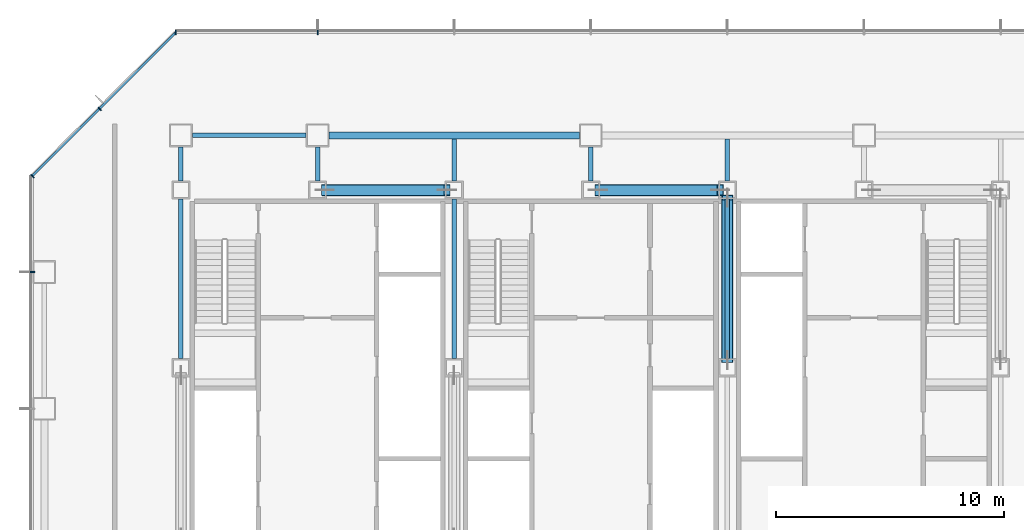
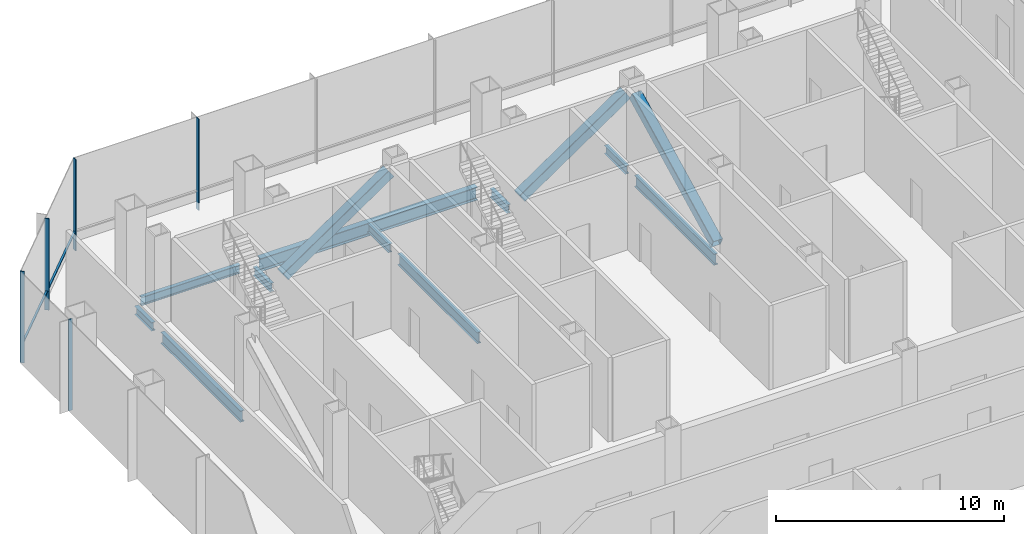
# One storey, part 13 of 34: 10 beams, 9 members, 3 elements without a shape of their own.
"""IFC4 building model written with IfcOpenShell, lengths in metres."""

from ifc_helpers import new_model, si_unit, direction, frame, origin, origin_2d, place, context, subcontext, project, spatial, rectangle, hollow_rectangle, i_section, extrude, material, material_profile, profile_set, type_object, element, aggregate, save


model = new_model("IFC4")

# Units and contexts
model_context = context("Model", 3, precision=1e-05, world=origin(), true_north=direction((0.0, 1.0)))
body_context = subcontext(model_context, "Body", "Model", "MODEL_VIEW")
ifc_project = project(units=[si_unit("LENGTHUNIT", "METRE"), si_unit("AREAUNIT", "SQUARE_METRE"), si_unit("VOLUMEUNIT", "CUBIC_METRE"), si_unit("PLANEANGLEUNIT", "RADIAN"), si_unit("MASSUNIT", "GRAM", prefix="KILO")], contexts=[model_context])

# Site, building, storey
site_placement = place(None, origin())
site = spatial("IfcSite", under=ifc_project, at=site_placement, CompositionType="ELEMENT")
building_placement = place(site_placement, origin())
building = spatial("IfcBuilding", under=site, at=building_placement, Name="Sorahane Residences", CompositionType="ELEMENT")
storey_placement = place(building_placement, frame((0.0, 0.0, 39.60009765625)))
storey = spatial("IfcBuildingStorey", under=building, at=storey_placement, Name="L06", CompositionType="ELEMENT", Elevation=39.60009765625)

# Members
ifc_material_1 = material(Name="Steel Q355B", Category="steel")
ifc_material_profile_1 = material_profile(ifc_material_1, hollow_rectangle(XDim=0.5, YDim=0.5, WallThickness=0.02490234375, InnerFilletRadius=0.012451171875, OuterFilletRadius=0.03759765625, at=origin_2d()), Name="RHS 500x500x25")
ifc_profile_set_1 = profile_set([ifc_material_profile_1], Name="Steel Q355B")
member_type_1 = type_object("IfcMemberType", Name="Core brace RHS 500x500x25 Q355B", PredefinedType="BRACE", material=ifc_profile_set_1)
for number, where, z_axis, x_axis, name in (
    (1, (12.3154296875, 45.60009765625, 0.192138671875), (0.825887140719, 0.0, 0.563835464294), (0.0, 1.0, 0.0), "Core brace L06 y45.6-2"),
    (2, (24.3154296875, 45.60009765625, 0.192138671875), (0.825887140719, 0.0, 0.563835464294), (0.0, 1.0, 0.0), "Core brace L06 y45.6-4"),
):
    element("IfcMember", number, at=place(storey_placement, frame(where, z_axis=z_axis, x_axis=x_axis)), inside=storey, type_object=member_type_1, Name=name, PredefinedType="BRACE", context=body_context, shape_type="SweptSolid", body=[
        extrude(hollow_rectangle(XDim=0.5, YDim=0.5, WallThickness=0.02490234375, InnerFilletRadius=0.012451171875, OuterFilletRadius=0.03759765625, at=origin_2d()), origin(), (0.0, 0.0, 1.0), 6.5009765625),
    ])
member_1_placement = place(storey_placement, frame((30.0, 38.132080078125, 0.215576171875), z_axis=(0.0, 0.891873982829, 0.452283980207), x_axis=(-1.0, 0.0, 0.0)))
element("IfcMember", 3, at=member_1_placement, inside=storey, type_object=member_type_1, Name="Core brace L06 x30-2", PredefinedType="BRACE", context=body_context, shape_type="SweptSolid", body=[
    extrude(hollow_rectangle(XDim=0.5, YDim=0.5, WallThickness=0.02490234375, InnerFilletRadius=0.012451171875, OuterFilletRadius=0.03759765625, at=origin_2d()), origin(), (0.0, 0.0, 1.0), 8.000732421875),
])

# Curtain wall, members
ifc_material_2 = material(Name="Dark low-e glass and black anodised aluminium", Category="aluminium")
curtain_wall_type = type_object("IfcCurtainWallType", Name="Curtain wall CW-3 Podium unitised wall", PredefinedType="NOTDEFINED", material=ifc_material_2)
curtain_wall_1_placement = place(storey_placement, origin())
curtain_wall_1 = element("IfcCurtainWall", 4, at=curtain_wall_1_placement, inside=storey, type_object=curtain_wall_type, Name="CW-3 curtain wall L06 N1", PredefinedType="NOTDEFINED")
ifc_material_3 = material(Name="Black anodised aluminium", Category="aluminium")
ifc_material_profile_2 = material_profile(ifc_material_3, rectangle(XDim=0.199951171875, YDim=0.050048828125, at=origin_2d()), Name="Curtain wall mullion CW-3 black anodised aluminium 50x200")
ifc_profile_set_2 = profile_set([ifc_material_profile_2], Name="Black anodised aluminium")
member_type_2 = type_object("IfcMemberType", Name="Curtain wall mullion CW-3 black anodised aluminium 50x200", PredefinedType="MULLION", material=ifc_profile_set_2)
member_2_placement = place(storey_placement, frame((12.0, 52.52001953125, -0.400146484375), z_axis=(0.0, 0.0, 1.0), x_axis=(0.0, 1.0, 0.0)))
member_2 = element("IfcMember", 5, at=member_2_placement, type_object=member_type_2, Name="CW-3 mullion L06 N1.12", PredefinedType="MULLION", context=body_context, shape_type="SweptSolid", body=[
    extrude(rectangle(XDim=0.199951171875, YDim=0.050048828125, at=origin_2d()), origin(), (0.0, 0.0, 1.0), 4.900146484375),
])
member_3_placement = place(storey_placement, frame((5.7763671875, 52.52001953125, -0.400146484375), z_axis=(0.0, 0.0, 1.0), x_axis=(0.0, 1.0, 0.0)))
member_3 = element("IfcMember", 6, at=member_3_placement, type_object=member_type_2, Name="CW-3 mullion L06 N1.13", PredefinedType="MULLION", context=body_context, shape_type="SweptSolid", body=[
    extrude(rectangle(XDim=0.199951171875, YDim=0.050048828125, at=origin_2d()), origin(), (0.0, 0.0, 1.0), 4.900146484375),
])
aggregate(curtain_wall_1, [member_2, member_3])

curtain_wall_2_placement = place(storey_placement, origin())
curtain_wall_2 = element("IfcCurtainWall", 7, at=curtain_wall_2_placement, inside=storey, type_object=curtain_wall_type, Name="CW-3 curtain wall L06 NW1", PredefinedType="NOTDEFINED")
member_4_placement = place(storey_placement, frame((2.432373046875, 49.167724609375, -0.400146484375), z_axis=(0.0, 0.0, 1.0), x_axis=(-0.707106781187, 0.707106781187, 0.0)))
member_4 = element("IfcMember", 8, at=member_4_placement, type_object=member_type_2, Name="CW-3 mullion L06 NW1.2", PredefinedType="MULLION", context=body_context, shape_type="SweptSolid", body=[
    extrude(rectangle(XDim=0.199951171875, YDim=0.050048828125, at=origin_2d()), origin(), (0.0, 0.0, 1.0), 4.900146484375),
])
member_5_placement = place(storey_placement, frame((-0.525634765625, 46.209716796875, -0.400146484375), z_axis=(0.0, 0.0, 1.0), x_axis=(-0.707106781187, 0.707106781187, 0.0)))
member_5 = element("IfcMember", 9, at=member_5_placement, type_object=member_type_2, Name="CW-3 mullion L06 NW1.3", PredefinedType="MULLION", context=body_context, shape_type="SweptSolid", body=[
    extrude(rectangle(XDim=0.199951171875, YDim=0.050048828125, at=origin_2d()), origin(), (0.0, 0.0, 1.0), 4.900146484375),
])

# Curtain wall, member
curtain_wall_3_placement = place(storey_placement, origin())
curtain_wall_3 = element("IfcCurtainWall", 10, at=curtain_wall_3_placement, inside=storey, type_object=curtain_wall_type, Name="CW-3 curtain wall L06 W1", PredefinedType="NOTDEFINED")
member_6_placement = place(storey_placement, frame((-0.52001953125, 42.0, -0.400146484375), z_axis=(0.0, 0.0, 1.0), x_axis=(-1.0, 0.0, 0.0)))
member_6 = element("IfcMember", 11, at=member_6_placement, type_object=member_type_2, Name="CW-3 mullion L06 W1.2", PredefinedType="MULLION", context=body_context, shape_type="SweptSolid", body=[
    extrude(rectangle(XDim=0.199951171875, YDim=0.050048828125, at=origin_2d()), origin(), (0.0, 0.0, 1.0), 4.900146484375),
])
aggregate(curtain_wall_3, [member_6])

# Member
ifc_material_4 = material(Name="Black anodised aluminium", Category="aluminium")
ifc_material_profile_3 = material_profile(ifc_material_4, rectangle(XDim=0.10009765625, YDim=0.06005859375, at=origin_2d()), Name="Curtain wall transom CW-3 black anodised aluminium 60x100")
ifc_profile_set_3 = profile_set([ifc_material_profile_3], Name="Black anodised aluminium")
member_type_3 = type_object("IfcMemberType", Name="Curtain wall transom CW-3 black anodised aluminium 60x100", PredefinedType="USERDEFINED", material=ifc_profile_set_3)
member_7_placement = place(storey_placement, frame((5.765625, 52.51513671875, 0.599853515625), z_axis=(-0.707106781187, -0.707106781187, 0.0), x_axis=(0.707106781187, -0.707106781187, 0.0)))
member_7 = element("IfcMember", 12, at=member_7_placement, type_object=member_type_3, Name="CW-3 transom L06 NW1", ObjectType="TRANSOM", PredefinedType="USERDEFINED", context=body_context, shape_type="SweptSolid", body=[
    extrude(rectangle(XDim=0.10009765625, YDim=0.06005859375, at=origin_2d()), origin(), (0.0, 0.0, 1.0), 8.88232421875),
])

aggregate(curtain_wall_2, [member_4, member_5, member_7])

# Beams
ifc_material_5 = material(Name="Steel Q355B", Category="steel")
ifc_material_profile_4 = material_profile(ifc_material_5, i_section(OverallWidth=0.199951171875, OverallDepth=0.449951171875, WebThickness=0.009033203125, FlangeThickness=0.013916015625, FilletRadius=0.02001953125, at=origin_2d()), Name="HN 450x200x9x14")
ifc_profile_set_4 = profile_set([ifc_material_profile_4], Name="Steel Q355B")
beam_type_1 = type_object("IfcBeamType", Name="Steel floor beam HN 450x200x9x14 Q355B", PredefinedType="BEAM", material=ifc_profile_set_4)
beam_1_placement = place(storey_placement, frame((6.5, 48.0, -0.625), z_axis=(1.0, 0.0, 0.0), x_axis=(0.0, 1.0, 0.0)))
element("IfcBeam", 13, at=beam_1_placement, inside=storey, type_object=beam_type_1, Name="Beam L06 018", PredefinedType="BEAM", context=body_context, shape_type="SweptSolid", body=[
    extrude(i_section(OverallWidth=0.199951171875, OverallDepth=0.449951171875, WebThickness=0.009033203125, FlangeThickness=0.013916015625, FilletRadius=0.02001953125, at=origin_2d()), origin(), (0.0, 0.0, 1.0), 5.0),
])
for number, where, z_axis, x_axis, name in (
    (14, (6.0, 46.0, -0.625), (0.0, 1.0, 0.0), (-1.0, 0.0, 0.0), "Beam L06 034"),
    (15, (12.0, 46.0, -0.625), (0.0, 1.0, 0.0), (-1.0, 0.0, 0.0), "Beam L06 037"),
):
    element("IfcBeam", number, at=place(storey_placement, frame(where, z_axis=z_axis, x_axis=x_axis)), inside=storey, type_object=beam_type_1, Name=name, PredefinedType="BEAM", context=body_context, shape_type="SweptSolid", body=[
        extrude(i_section(OverallWidth=0.199951171875, OverallDepth=0.449951171875, WebThickness=0.009033203125, FlangeThickness=0.013916015625, FilletRadius=0.02001953125, at=origin_2d()), origin(), (0.0, 0.0, 1.0), 1.5),
    ])
beam_2_placement = place(storey_placement, frame((18.0, 46.0, -0.625), z_axis=(0.0, 1.0, 0.0), x_axis=(-1.0, 0.0, 0.0)))
element("IfcBeam", 16, at=beam_2_placement, inside=storey, type_object=beam_type_1, Name="Beam L06 043", PredefinedType="BEAM", context=body_context, shape_type="SweptSolid", body=[
    extrude(i_section(OverallWidth=0.199951171875, OverallDepth=0.449951171875, WebThickness=0.009033203125, FlangeThickness=0.013916015625, FilletRadius=0.02001953125, at=origin_2d()), origin(), (0.0, 0.0, 1.0), 1.85009765625),
])
beam_3_placement = place(storey_placement, frame((24.0, 46.0, -0.625), z_axis=(0.0, 1.0, 0.0), x_axis=(-1.0, 0.0, 0.0)))
element("IfcBeam", 17, at=beam_3_placement, inside=storey, type_object=beam_type_1, Name="Beam L06 046", PredefinedType="BEAM", context=body_context, shape_type="SweptSolid", body=[
    extrude(i_section(OverallWidth=0.199951171875, OverallDepth=0.449951171875, WebThickness=0.009033203125, FlangeThickness=0.013916015625, FilletRadius=0.02001953125, at=origin_2d()), origin(), (0.0, 0.0, 1.0), 1.5),
])
beam_4_placement = place(storey_placement, frame((30.0, 46.0, -0.625), z_axis=(0.0, 1.0, 0.0), x_axis=(-1.0, 0.0, 0.0)))
element("IfcBeam", 18, at=beam_4_placement, inside=storey, type_object=beam_type_1, Name="Beam L06 052", PredefinedType="BEAM", context=body_context, shape_type="SweptSolid", body=[
    extrude(i_section(OverallWidth=0.199951171875, OverallDepth=0.449951171875, WebThickness=0.009033203125, FlangeThickness=0.013916015625, FilletRadius=0.02001953125, at=origin_2d()), origin(), (0.0, 0.0, 1.0), 1.85009765625),
])
ifc_material_6 = material(Name="Steel Q355B", Category="steel")
ifc_material_profile_5 = material_profile(ifc_material_6, i_section(OverallWidth=0.199951171875, OverallDepth=0.60009765625, WebThickness=0.010986328125, FlangeThickness=0.01708984375, FilletRadius=0.02392578125, at=origin_2d()), Name="HN 600x200x11x17")
ifc_profile_set_5 = profile_set([ifc_material_profile_5], Name="Steel Q355B")
beam_type_2 = type_object("IfcBeamType", Name="Steel floor beam HN 600x200x11x17 Q355B", PredefinedType="BEAM", material=ifc_profile_set_5)
for number, where, z_axis, x_axis, name in (
    (19, (6.0, 38.199951171875, -0.7001953125), (0.0, 1.0, 0.0), (-1.0, 0.0, 0.0), "Beam L06 033"),
    (20, (18.0, 38.199951171875, -0.7001953125), (0.0, 1.0, 0.0), (-1.0, 0.0, 0.0), "Beam L06 042"),
    (21, (30.0, 38.199951171875, -0.7001953125), (0.0, 1.0, 0.0), (-1.0, 0.0, 0.0), "Beam L06 051"),
):
    element("IfcBeam", number, at=place(storey_placement, frame(where, z_axis=z_axis, x_axis=x_axis)), inside=storey, type_object=beam_type_2, Name=name, PredefinedType="BEAM", context=body_context, shape_type="SweptSolid", body=[
        extrude(i_section(OverallWidth=0.199951171875, OverallDepth=0.60009765625, WebThickness=0.010986328125, FlangeThickness=0.01708984375, FilletRadius=0.02392578125, at=origin_2d()), origin(), (0.0, 0.0, 1.0), 7.0),
    ])
ifc_material_7 = material(Name="Steel Q355B", Category="steel")
ifc_material_profile_6 = material_profile(ifc_material_7, i_section(OverallWidth=0.300048828125, OverallDepth=0.699951171875, WebThickness=0.012939453125, FlangeThickness=0.02392578125, FilletRadius=0.028076171875, at=origin_2d()), Name="HN 700x300x13x24")
ifc_profile_set_6 = profile_set([ifc_material_profile_6], Name="Steel Q355B")
beam_type_3 = type_object("IfcBeamType", Name="Steel floor beam HN 700x300x13x24 Q355B", PredefinedType="BEAM", material=ifc_profile_set_6)
beam_5_placement = place(storey_placement, frame((12.5, 48.0, -0.75), z_axis=(1.0, 0.0, 0.0), x_axis=(0.0, 1.0, 0.0)))
element("IfcBeam", 22, at=beam_5_placement, inside=storey, type_object=beam_type_3, Name="Beam L06 019", PredefinedType="BEAM", context=body_context, shape_type="SweptSolid", body=[
    extrude(i_section(OverallWidth=0.300048828125, OverallDepth=0.699951171875, WebThickness=0.012939453125, FlangeThickness=0.02392578125, FilletRadius=0.028076171875, at=origin_2d()), origin(), (0.0, 0.0, 1.0), 11.0),
])

save(model, "model.ifc")
